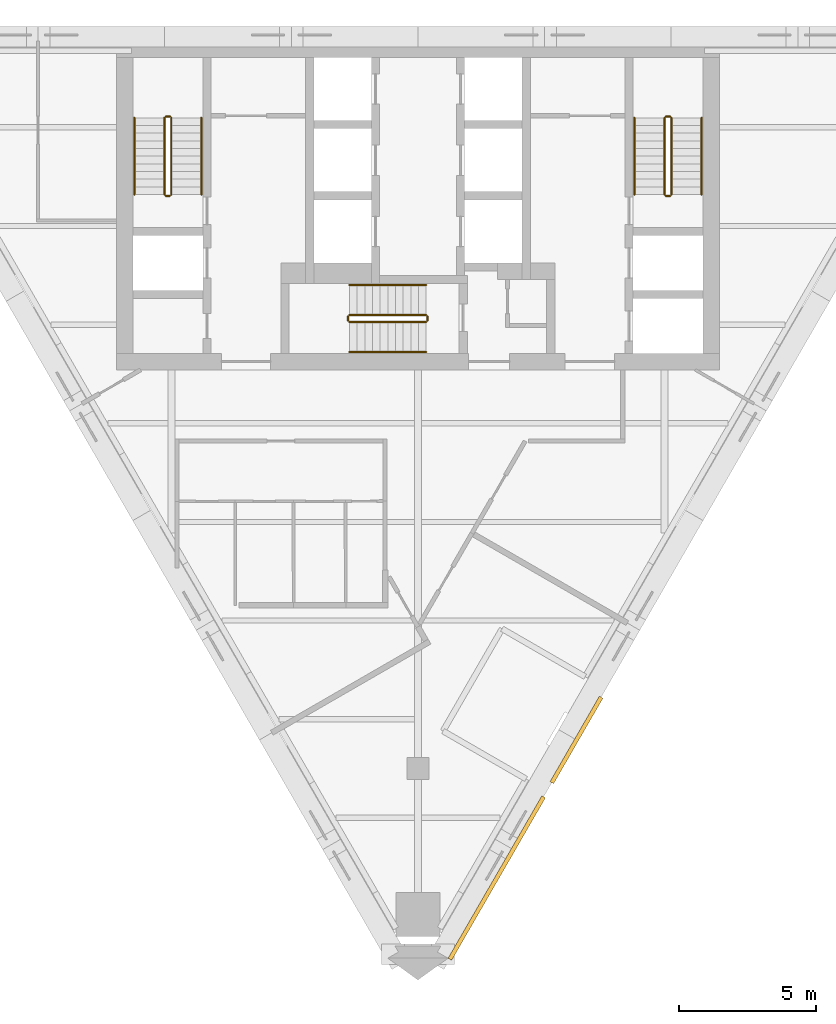
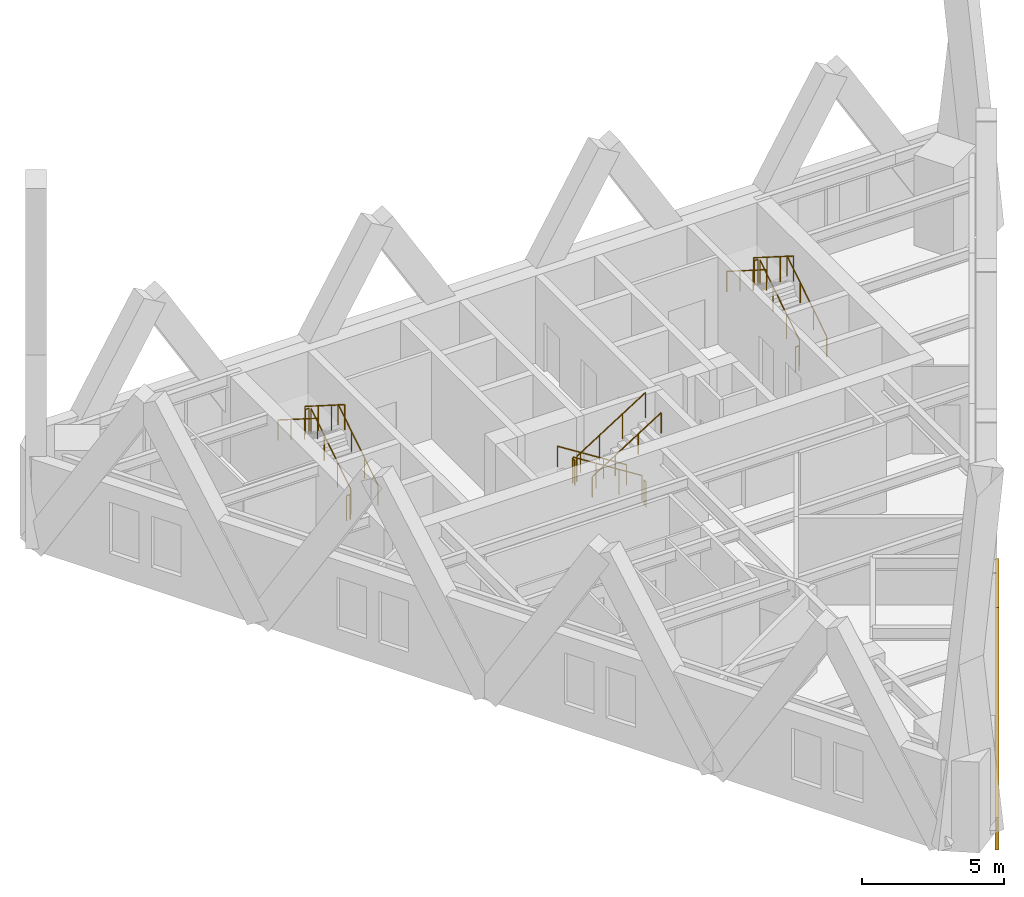
# One storey, part 7 of 7: 18 railings, 2 coverings.
"""IFC4 building model written with IfcOpenShell, lengths in metres."""

from ifc_helpers import new_model, si_unit, direction, frame, origin, origin_2d, place, context, subcontext, project, spatial, polyline, circle, outline, extrude, material, layer, layer_set, type_object, element, save


model = new_model("IFC4")

# Units and contexts
model_context = context("Model", 3, precision=1e-05, world=origin(), true_north=direction((0.0, 1.0)))
body_context = subcontext(model_context, "Body", "Model", "MODEL_VIEW")
ifc_project = project(units=[si_unit("LENGTHUNIT", "METRE"), si_unit("AREAUNIT", "SQUARE_METRE"), si_unit("VOLUMEUNIT", "CUBIC_METRE"), si_unit("PLANEANGLEUNIT", "RADIAN"), si_unit("MASSUNIT", "GRAM", prefix="KILO")], contexts=[model_context])

# Site, building, storey
site_placement = place(None, origin())
site = spatial("IfcSite", under=ifc_project, at=site_placement, CompositionType="ELEMENT")
building_placement = place(site_placement, origin())
building = spatial("IfcBuilding", under=site, at=building_placement, Name="Aloe Facet Convention Tower", CompositionType="ELEMENT")
storey_placement = place(building_placement, frame((0.0, 0.0, 269.89990234375)))
storey = spatial("IfcBuildingStorey", under=building, at=storey_placement, Name="L66", CompositionType="ELEMENT", Elevation=269.89990234375)

# Railings
ifc_material_1 = material(Name="Steel S355 balustrade", Category="steel")
railing_type_1 = type_object("IfcRailingType", Name="CR-RL-GUARD", PredefinedType="GUARDRAIL", material=ifc_material_1)
railing_1_placement = place(storey_placement, frame((71.0, 128.949951171875, 0.177490234375)))
element("IfcRailing", 1, at=railing_1_placement, inside=storey, type_object=railing_type_1, Name="L66 ST1 stair guard 1", PredefinedType="GUARDRAIL", context=body_context, shape_type="SweptSolid", body=[
    extrude(circle(Radius=0.02392578125, at=origin_2d()), frame((0.0, 0.0, 1.076171875), z_axis=(0.0, 0.844908973607, 0.534910110503), x_axis=(-1.0, 0.0, 0.0)), (0.0, 0.0, 1.0), 3.31396484375),
    extrude(circle(Radius=0.02099609375, at=origin_2d()), origin(), (0.0, 0.0, 1.0), 1.052001953125),
    extrude(circle(Radius=0.02099609375, at=origin_2d()), frame((0.0, 0.933349609375, 0.5908203125)), (0.0, 0.0, 1.0), 1.052001953125),
    extrude(circle(Radius=0.02099609375, at=origin_2d()), frame((0.0, 1.86669921875, 1.181884765625)), (0.0, 0.0, 1.0), 1.052001953125),
    extrude(circle(Radius=0.02099609375, at=origin_2d()), frame((0.0, 2.800048828125, 1.772705078125)), (0.0, 0.0, 1.0), 1.052001953125),
])
railing_2_placement = place(storey_placement, frame((70.949951171875, 131.800048828125, 1.9501953125)))
element("IfcRailing", 2, at=railing_2_placement, inside=storey, type_object=railing_type_1, Name="L66 ST1 stair guard 2", PredefinedType="GUARDRAIL", context=body_context, shape_type="SweptSolid", body=[
    extrude(circle(Radius=0.02392578125, at=origin_2d()), frame((0.0, 0.0, 1.076171875), z_axis=(-1.0, 0.0, 0.0), x_axis=(0.0, -1.0, 0.0)), (0.0, 0.0, 1.0), 0.14990234375),
    extrude(circle(Radius=0.02099609375, at=origin_2d()), origin(), (0.0, 0.0, 1.0), 1.052001953125),
    extrude(circle(Radius=0.02099609375, at=origin_2d()), frame((-0.14990234375, 0.0, 0.0)), (0.0, 0.0, 1.0), 1.052001953125),
])
railing_3_placement = place(storey_placement, frame((70.75, 131.75, 2.12744140625)))
element("IfcRailing", 3, at=railing_3_placement, inside=storey, type_object=railing_type_1, Name="L66 ST1 stair guard 3", PredefinedType="GUARDRAIL", context=body_context, shape_type="SweptSolid", body=[
    extrude(circle(Radius=0.02392578125, at=origin_2d()), frame((0.0, 0.0, 1.076171875), z_axis=(0.0, -0.844908973607, 0.534910110503), x_axis=(1.0, 0.0, 0.0)), (0.0, 0.0, 1.0), 3.31396484375),
    extrude(circle(Radius=0.02099609375, at=origin_2d()), origin(), (0.0, 0.0, 1.0), 1.052001953125),
    extrude(circle(Radius=0.02099609375, at=origin_2d()), frame((0.0, -0.933349609375, 0.5908203125)), (0.0, 0.0, 1.0), 1.052001953125),
    extrude(circle(Radius=0.02099609375, at=origin_2d()), frame((0.0, -1.86669921875, 1.181884765625)), (0.0, 0.0, 1.0), 1.052001953125),
    extrude(circle(Radius=0.02099609375, at=origin_2d()), frame((0.0, -2.800048828125, 1.772705078125)), (0.0, 0.0, 1.0), 1.052001953125),
])
railing_4_placement = place(storey_placement, frame((70.949951171875, 128.89990234375, 0.0)))
element("IfcRailing", 4, at=railing_4_placement, inside=storey, type_object=railing_type_1, Name="L66 ST1 stair guard 4", PredefinedType="GUARDRAIL", context=body_context, shape_type="SweptSolid", body=[
    extrude(circle(Radius=0.02392578125, at=origin_2d()), frame((0.0, 0.0, 1.076171875), z_axis=(-1.0, 0.0, 0.0), x_axis=(0.0, -1.0, 0.0)), (0.0, 0.0, 1.0), 0.14990234375),
    extrude(circle(Radius=0.02099609375, at=origin_2d()), origin(), (0.0, 0.0, 1.0), 1.052001953125),
    extrude(circle(Radius=0.02099609375, at=origin_2d()), frame((-0.14990234375, 0.0, 0.0)), (0.0, 0.0, 1.0), 1.052001953125),
])
railing_5_placement = place(storey_placement, frame((89.25, 128.949951171875, 0.177490234375)))
element("IfcRailing", 5, at=railing_5_placement, inside=storey, type_object=railing_type_1, Name="L66 ST2 stair guard 1", PredefinedType="GUARDRAIL", context=body_context, shape_type="SweptSolid", body=[
    extrude(circle(Radius=0.02392578125, at=origin_2d()), frame((0.0, 0.0, 1.076171875), z_axis=(0.0, 0.844908973607, 0.534910110503), x_axis=(-1.0, 0.0, 0.0)), (0.0, 0.0, 1.0), 3.31396484375),
    extrude(circle(Radius=0.02099609375, at=origin_2d()), origin(), (0.0, 0.0, 1.0), 1.052001953125),
    extrude(circle(Radius=0.02099609375, at=origin_2d()), frame((0.0, 0.933349609375, 0.5908203125)), (0.0, 0.0, 1.0), 1.052001953125),
    extrude(circle(Radius=0.02099609375, at=origin_2d()), frame((0.0, 1.86669921875, 1.181884765625)), (0.0, 0.0, 1.0), 1.052001953125),
    extrude(circle(Radius=0.02099609375, at=origin_2d()), frame((0.0, 2.800048828125, 1.772705078125)), (0.0, 0.0, 1.0), 1.052001953125),
])
railing_6_placement = place(storey_placement, frame((89.199951171875, 131.800048828125, 1.9501953125)))
element("IfcRailing", 6, at=railing_6_placement, inside=storey, type_object=railing_type_1, Name="L66 ST2 stair guard 2", PredefinedType="GUARDRAIL", context=body_context, shape_type="SweptSolid", body=[
    extrude(circle(Radius=0.02392578125, at=origin_2d()), frame((0.0, 0.0, 1.076171875), z_axis=(-1.0, 0.0, 0.0), x_axis=(0.0, -1.0, 0.0)), (0.0, 0.0, 1.0), 0.14990234375),
    extrude(circle(Radius=0.02099609375, at=origin_2d()), origin(), (0.0, 0.0, 1.0), 1.052001953125),
    extrude(circle(Radius=0.02099609375, at=origin_2d()), frame((-0.14990234375, 0.0, 0.0)), (0.0, 0.0, 1.0), 1.052001953125),
])
railing_7_placement = place(storey_placement, frame((89.0, 131.75, 2.12744140625)))
element("IfcRailing", 7, at=railing_7_placement, inside=storey, type_object=railing_type_1, Name="L66 ST2 stair guard 3", PredefinedType="GUARDRAIL", context=body_context, shape_type="SweptSolid", body=[
    extrude(circle(Radius=0.02392578125, at=origin_2d()), frame((0.0, 0.0, 1.076171875), z_axis=(0.0, -0.844908973607, 0.534910110503), x_axis=(1.0, 0.0, 0.0)), (0.0, 0.0, 1.0), 3.31396484375),
    extrude(circle(Radius=0.02099609375, at=origin_2d()), origin(), (0.0, 0.0, 1.0), 1.052001953125),
    extrude(circle(Radius=0.02099609375, at=origin_2d()), frame((0.0, -0.933349609375, 0.5908203125)), (0.0, 0.0, 1.0), 1.052001953125),
    extrude(circle(Radius=0.02099609375, at=origin_2d()), frame((0.0, -1.86669921875, 1.181884765625)), (0.0, 0.0, 1.0), 1.052001953125),
    extrude(circle(Radius=0.02099609375, at=origin_2d()), frame((0.0, -2.800048828125, 1.772705078125)), (0.0, 0.0, 1.0), 1.052001953125),
])
railing_8_placement = place(storey_placement, frame((89.199951171875, 128.89990234375, 0.0)))
element("IfcRailing", 8, at=railing_8_placement, inside=storey, type_object=railing_type_1, Name="L66 ST2 stair guard 4", PredefinedType="GUARDRAIL", context=body_context, shape_type="SweptSolid", body=[
    extrude(circle(Radius=0.02392578125, at=origin_2d()), frame((0.0, 0.0, 1.076171875), z_axis=(-1.0, 0.0, 0.0), x_axis=(0.0, -1.0, 0.0)), (0.0, 0.0, 1.0), 0.14990234375),
    extrude(circle(Radius=0.02099609375, at=origin_2d()), origin(), (0.0, 0.0, 1.0), 1.052001953125),
    extrude(circle(Radius=0.02099609375, at=origin_2d()), frame((-0.14990234375, 0.0, 0.0)), (0.0, 0.0, 1.0), 1.052001953125),
])
railing_9_placement = place(storey_placement, frame((80.300048828125, 124.550048828125, 0.177490234375)))
element("IfcRailing", 9, at=railing_9_placement, inside=storey, type_object=railing_type_1, Name="L66 ST3 stair guard 1", PredefinedType="GUARDRAIL", context=body_context, shape_type="SweptSolid", body=[
    extrude(circle(Radius=0.02392578125, at=origin_2d()), frame((0.0, 0.0, 1.076171875), z_axis=(-0.844908973607, 0.0, 0.534910110503), x_axis=(0.0, -1.0, 0.0)), (0.0, 0.0, 1.0), 3.31396484375),
    extrude(circle(Radius=0.02099609375, at=origin_2d()), origin(), (0.0, 0.0, 1.0), 1.052001953125),
    extrude(circle(Radius=0.02099609375, at=origin_2d()), frame((-0.933349609375, 0.0, 0.5908203125)), (0.0, 0.0, 1.0), 1.052001953125),
    extrude(circle(Radius=0.02099609375, at=origin_2d()), frame((-1.86669921875, 0.0, 1.181884765625)), (0.0, 0.0, 1.0), 1.052001953125),
    extrude(circle(Radius=0.02099609375, at=origin_2d()), frame((-2.800048828125, 0.0, 1.772705078125)), (0.0, 0.0, 1.0), 1.052001953125),
])
railing_10_placement = place(storey_placement, frame((77.449951171875, 124.5, 1.9501953125)))
element("IfcRailing", 10, at=railing_10_placement, inside=storey, type_object=railing_type_1, Name="L66 ST3 stair guard 2", PredefinedType="GUARDRAIL", context=body_context, shape_type="SweptSolid", body=[
    extrude(circle(Radius=0.02392578125, at=origin_2d()), frame((0.0, 0.0, 1.076171875), z_axis=(0.0, -1.0, 0.0), x_axis=(1.0, 0.0, 0.0)), (0.0, 0.0, 1.0), 0.14990234375),
    extrude(circle(Radius=0.02099609375, at=origin_2d()), origin(), (0.0, 0.0, 1.0), 1.052001953125),
    extrude(circle(Radius=0.02099609375, at=origin_2d()), frame((0.0, -0.14990234375, 0.0)), (0.0, 0.0, 1.0), 1.052001953125),
])
railing_11_placement = place(storey_placement, frame((77.5, 124.300048828125, 2.12744140625)))
element("IfcRailing", 11, at=railing_11_placement, inside=storey, type_object=railing_type_1, Name="L66 ST3 stair guard 3", PredefinedType="GUARDRAIL", context=body_context, shape_type="SweptSolid", body=[
    extrude(circle(Radius=0.02392578125, at=origin_2d()), frame((0.0, 0.0, 1.076171875), z_axis=(0.844908973607, 0.0, 0.534910110503), x_axis=(0.0, 1.0, 0.0)), (0.0, 0.0, 1.0), 3.31396484375),
    extrude(circle(Radius=0.02099609375, at=origin_2d()), origin(), (0.0, 0.0, 1.0), 1.052001953125),
    extrude(circle(Radius=0.02099609375, at=origin_2d()), frame((0.933349609375, 0.0, 0.5908203125)), (0.0, 0.0, 1.0), 1.052001953125),
    extrude(circle(Radius=0.02099609375, at=origin_2d()), frame((1.86669921875, 0.0, 1.181884765625)), (0.0, 0.0, 1.0), 1.052001953125),
    extrude(circle(Radius=0.02099609375, at=origin_2d()), frame((2.800048828125, 0.0, 1.772705078125)), (0.0, 0.0, 1.0), 1.052001953125),
])
railing_12_placement = place(storey_placement, frame((80.35009765625, 124.5, 0.0)))
element("IfcRailing", 12, at=railing_12_placement, inside=storey, type_object=railing_type_1, Name="L66 ST3 stair guard 4", PredefinedType="GUARDRAIL", context=body_context, shape_type="SweptSolid", body=[
    extrude(circle(Radius=0.02392578125, at=origin_2d()), frame((0.0, 0.0, 1.076171875), z_axis=(0.0, -1.0, 0.0), x_axis=(1.0, 0.0, 0.0)), (0.0, 0.0, 1.0), 0.14990234375),
    extrude(circle(Radius=0.02099609375, at=origin_2d()), origin(), (0.0, 0.0, 1.0), 1.052001953125),
    extrude(circle(Radius=0.02099609375, at=origin_2d()), frame((0.0, -0.14990234375, 0.0)), (0.0, 0.0, 1.0), 1.052001953125),
])
ifc_material_2 = material(Name="Steel S355 handrail", Category="steel")
railing_type_2 = type_object("IfcRailingType", Name="CR-RL-HAND", PredefinedType="HANDRAIL", material=ifc_material_2)
railing_13_placement = place(storey_placement, frame((72.10009765625, 128.949951171875, 0.177490234375)))
element("IfcRailing", 13, at=railing_13_placement, inside=storey, type_object=railing_type_2, Name="L66 ST1 stair handrail 1", PredefinedType="HANDRAIL", context=body_context, shape_type="SweptSolid", body=[
    extrude(circle(Radius=0.02392578125, at=origin_2d()), frame((0.0, 0.0, 0.8759765625), z_axis=(0.0, 0.844908973607, 0.534910110503), x_axis=(-1.0, 0.0, 0.0)), (0.0, 0.0, 1.0), 3.31396484375),
    extrude(circle(Radius=0.02099609375, at=origin_2d()), origin(), (0.0, 0.0, 1.0), 0.851806640625),
    extrude(circle(Radius=0.02099609375, at=origin_2d()), frame((0.0, 0.933349609375, 0.5908203125)), (0.0, 0.0, 1.0), 0.851806640625),
    extrude(circle(Radius=0.02099609375, at=origin_2d()), frame((0.0, 1.86669921875, 1.181884765625)), (0.0, 0.0, 1.0), 0.851806640625),
    extrude(circle(Radius=0.02099609375, at=origin_2d()), frame((0.0, 2.800048828125, 1.772705078125)), (0.0, 0.0, 1.0), 0.851806640625),
])
railing_14_placement = place(storey_placement, frame((69.64990234375, 131.75, 2.12744140625)))
element("IfcRailing", 14, at=railing_14_placement, inside=storey, type_object=railing_type_2, Name="L66 ST1 stair handrail 2", PredefinedType="HANDRAIL", context=body_context, shape_type="SweptSolid", body=[
    extrude(circle(Radius=0.02392578125, at=origin_2d()), frame((0.0, 0.0, 0.8759765625), z_axis=(0.0, -0.844908973607, 0.534910110503), x_axis=(1.0, 0.0, 0.0)), (0.0, 0.0, 1.0), 3.31396484375),
    extrude(circle(Radius=0.02099609375, at=origin_2d()), origin(), (0.0, 0.0, 1.0), 0.851806640625),
    extrude(circle(Radius=0.02099609375, at=origin_2d()), frame((0.0, -0.933349609375, 0.5908203125)), (0.0, 0.0, 1.0), 0.851806640625),
    extrude(circle(Radius=0.02099609375, at=origin_2d()), frame((0.0, -1.86669921875, 1.181884765625)), (0.0, 0.0, 1.0), 0.851806640625),
    extrude(circle(Radius=0.02099609375, at=origin_2d()), frame((0.0, -2.800048828125, 1.772705078125)), (0.0, 0.0, 1.0), 0.851806640625),
])
railing_15_placement = place(storey_placement, frame((90.35009765625, 128.949951171875, 0.177490234375)))
element("IfcRailing", 15, at=railing_15_placement, inside=storey, type_object=railing_type_2, Name="L66 ST2 stair handrail 1", PredefinedType="HANDRAIL", context=body_context, shape_type="SweptSolid", body=[
    extrude(circle(Radius=0.02392578125, at=origin_2d()), frame((0.0, 0.0, 0.8759765625), z_axis=(0.0, 0.844908973607, 0.534910110503), x_axis=(-1.0, 0.0, 0.0)), (0.0, 0.0, 1.0), 3.31396484375),
    extrude(circle(Radius=0.02099609375, at=origin_2d()), origin(), (0.0, 0.0, 1.0), 0.851806640625),
    extrude(circle(Radius=0.02099609375, at=origin_2d()), frame((0.0, 0.933349609375, 0.5908203125)), (0.0, 0.0, 1.0), 0.851806640625),
    extrude(circle(Radius=0.02099609375, at=origin_2d()), frame((0.0, 1.86669921875, 1.181884765625)), (0.0, 0.0, 1.0), 0.851806640625),
    extrude(circle(Radius=0.02099609375, at=origin_2d()), frame((0.0, 2.800048828125, 1.772705078125)), (0.0, 0.0, 1.0), 0.851806640625),
])
railing_16_placement = place(storey_placement, frame((87.89990234375, 131.75, 2.12744140625)))
element("IfcRailing", 16, at=railing_16_placement, inside=storey, type_object=railing_type_2, Name="L66 ST2 stair handrail 2", PredefinedType="HANDRAIL", context=body_context, shape_type="SweptSolid", body=[
    extrude(circle(Radius=0.02392578125, at=origin_2d()), frame((0.0, 0.0, 0.8759765625), z_axis=(0.0, -0.844908973607, 0.534910110503), x_axis=(1.0, 0.0, 0.0)), (0.0, 0.0, 1.0), 3.31396484375),
    extrude(circle(Radius=0.02099609375, at=origin_2d()), origin(), (0.0, 0.0, 1.0), 0.851806640625),
    extrude(circle(Radius=0.02099609375, at=origin_2d()), frame((0.0, -0.933349609375, 0.5908203125)), (0.0, 0.0, 1.0), 0.851806640625),
    extrude(circle(Radius=0.02099609375, at=origin_2d()), frame((0.0, -1.86669921875, 1.181884765625)), (0.0, 0.0, 1.0), 0.851806640625),
    extrude(circle(Radius=0.02099609375, at=origin_2d()), frame((0.0, -2.800048828125, 1.772705078125)), (0.0, 0.0, 1.0), 0.851806640625),
])
railing_17_placement = place(storey_placement, frame((80.300048828125, 125.64990234375, 0.177490234375)))
element("IfcRailing", 17, at=railing_17_placement, inside=storey, type_object=railing_type_2, Name="L66 ST3 stair handrail 1", PredefinedType="HANDRAIL", context=body_context, shape_type="SweptSolid", body=[
    extrude(circle(Radius=0.02392578125, at=origin_2d()), frame((0.0, 0.0, 0.8759765625), z_axis=(-0.844908973607, 0.0, 0.534910110503), x_axis=(0.0, -1.0, 0.0)), (0.0, 0.0, 1.0), 3.31396484375),
    extrude(circle(Radius=0.02099609375, at=origin_2d()), origin(), (0.0, 0.0, 1.0), 0.851806640625),
    extrude(circle(Radius=0.02099609375, at=origin_2d()), frame((-0.933349609375, 0.0, 0.5908203125)), (0.0, 0.0, 1.0), 0.851806640625),
    extrude(circle(Radius=0.02099609375, at=origin_2d()), frame((-1.86669921875, 0.0, 1.181884765625)), (0.0, 0.0, 1.0), 0.851806640625),
    extrude(circle(Radius=0.02099609375, at=origin_2d()), frame((-2.800048828125, 0.0, 1.772705078125)), (0.0, 0.0, 1.0), 0.851806640625),
])
railing_18_placement = place(storey_placement, frame((77.5, 123.199951171875, 2.12744140625)))
element("IfcRailing", 18, at=railing_18_placement, inside=storey, type_object=railing_type_2, Name="L66 ST3 stair handrail 2", PredefinedType="HANDRAIL", context=body_context, shape_type="SweptSolid", body=[
    extrude(circle(Radius=0.02392578125, at=origin_2d()), frame((0.0, 0.0, 0.8759765625), z_axis=(0.844908973607, 0.0, 0.534910110503), x_axis=(0.0, 1.0, 0.0)), (0.0, 0.0, 1.0), 3.31396484375),
    extrude(circle(Radius=0.02099609375, at=origin_2d()), origin(), (0.0, 0.0, 1.0), 0.851806640625),
    extrude(circle(Radius=0.02099609375, at=origin_2d()), frame((0.933349609375, 0.0, 0.5908203125)), (0.0, 0.0, 1.0), 0.851806640625),
    extrude(circle(Radius=0.02099609375, at=origin_2d()), frame((1.86669921875, 0.0, 1.181884765625)), (0.0, 0.0, 1.0), 0.851806640625),
    extrude(circle(Radius=0.02099609375, at=origin_2d()), frame((2.800048828125, 0.0, 1.772705078125)), (0.0, 0.0, 1.0), 0.851806640625),
])

# Coverings
ifc_material_3 = material(Name="Bronze oxide fascia sheet")
ifc_layer = layer(ifc_material_3, 0.14990234375)
ifc_layer_set = layer_set([ifc_layer], Name="EV-FASCIA-TERR")
covering_type = type_object("IfcCoveringType", Name="EV-FASCIA-TERR", PredefinedType="CLADDING", material=ifc_layer_set)
covering_1_placement = place(storey_placement, frame((0.0, 0.0, 3.35009765625)))
element("IfcCovering", 19, at=covering_1_placement, inside=storey, type_object=covering_type, Name="Terrace fascia T15 sill", PredefinedType="CLADDING", context=body_context, shape_type="SweptSolid", body=[
    extrude(outline(polyline([(84.951416015625, 107.44677734375), (86.75146484375, 110.564453125), (86.62158203125, 110.639404296875), (84.821533203125, 107.521728515625), (84.951416015625, 107.44677734375)])), origin(), (0.0, 0.0, 1.0), 0.550048828125),
])
covering_2_placement = place(storey_placement, frame((81.22998046875, 101.000732421875, -0.89794921875), z_axis=(0.866034679621, -0.499983933435, 0.0), x_axis=(0.424787748041, 0.735785485654, 0.527423063788)))
element("IfcCovering", 20, at=covering_2_placement, inside=storey, type_object=covering_type, Name="Spiral ribbon zone 5 part 9", PredefinedType="CLADDING", context=body_context, shape_type="SweptSolid", body=[
    extrude(outline(polyline([(0.0, 0.0), (8.054344162528583, 0.0), (8.792684945672548, 1.1893609460475405), (0.7383407831439635, 1.1893609460475412), (0.0, 0.0)])), origin(), (0.0, 0.0, -1.0), 0.14990234375),
])

save(model, "model.ifc")
